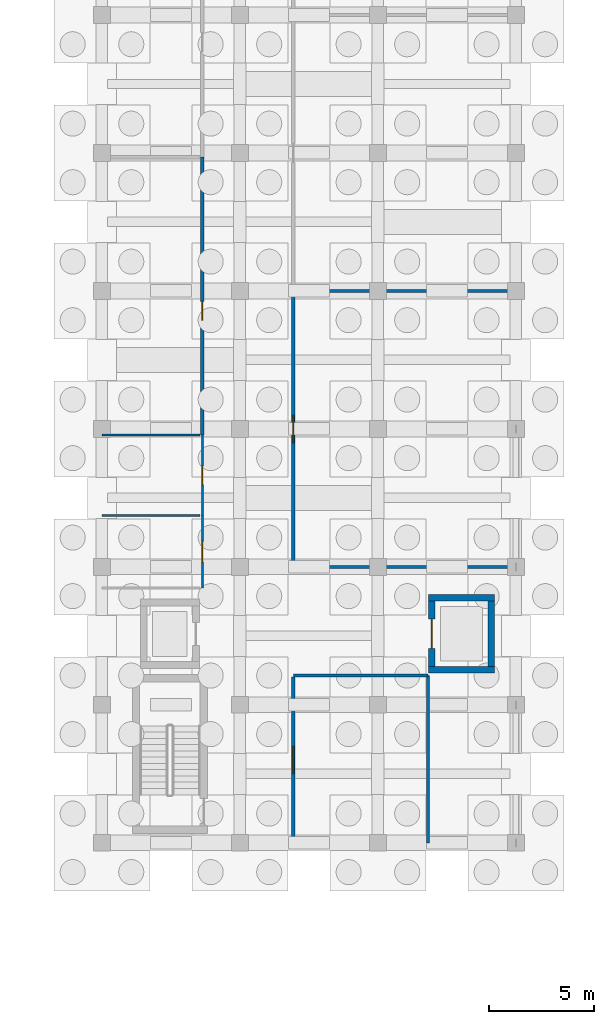
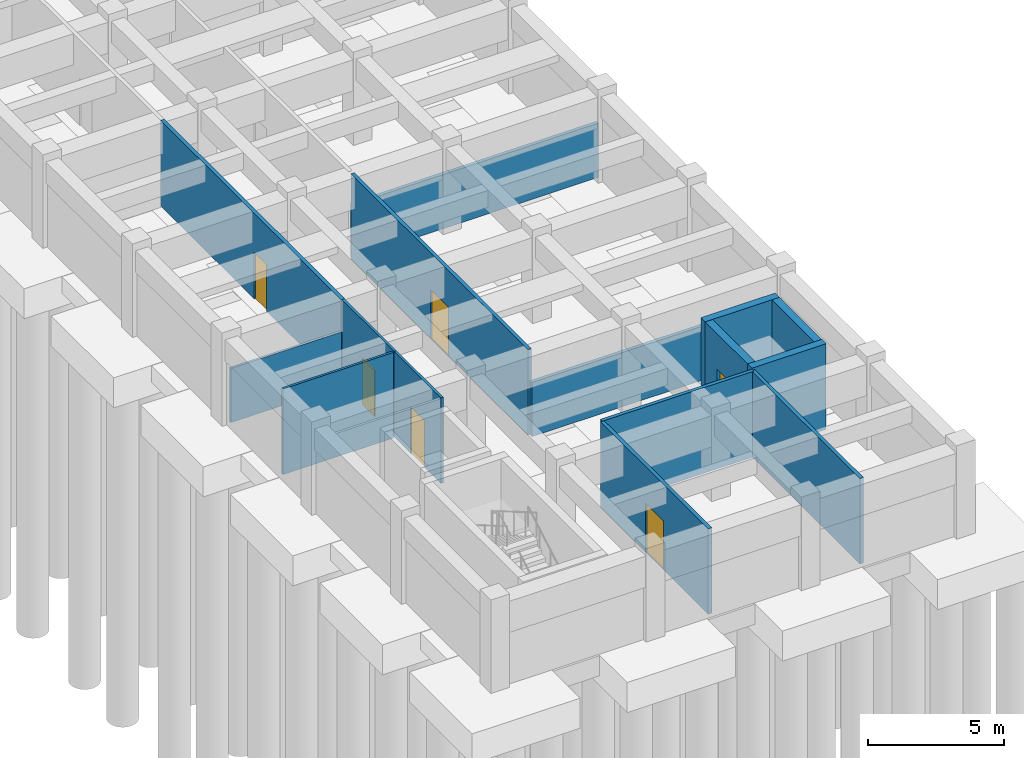
# One storey, part 46 of 58: 15 walls, 6 doors, 6 openings.
"""IFC4 building model written with IfcOpenShell, lengths in metres."""

from ifc_helpers import new_model, si_unit, direction, frame, frame_2d, origin, place, context, subcontext, project, spatial, rectangle, extrude, material, layer, layer_set, type_object, element, fill, save


model = new_model("IFC4")

# Units and contexts
model_context = context("Model", 3, precision=1e-05, world=origin(), true_north=direction((0.0, 1.0)))
body_context = subcontext(model_context, "Body", "Model", "MODEL_VIEW")
ifc_project = project(units=[si_unit("LENGTHUNIT", "METRE"), si_unit("AREAUNIT", "SQUARE_METRE"), si_unit("VOLUMEUNIT", "CUBIC_METRE"), si_unit("PLANEANGLEUNIT", "RADIAN"), si_unit("MASSUNIT", "GRAM", prefix="KILO")], contexts=[model_context])

# Site, building, storey
site_placement = place(None, origin())
site = spatial("IfcSite", under=ifc_project, at=site_placement, CompositionType="ELEMENT")
building_placement = place(site_placement, origin())
building = spatial("IfcBuilding", under=site, at=building_placement, Name="Karori Crest Natural Sciences Institute", CompositionType="ELEMENT")
storey_placement = place(building_placement, frame((0.0, 0.0, -4.199951171875)))
storey = spatial("IfcBuildingStorey", under=building, at=storey_placement, Name="B1", CompositionType="ELEMENT", Elevation=-4.199951171875)

# Walls
ifc_material_1 = material(Name="Concrete 50 MPa", Category="concrete")
ifc_layer_1 = layer(ifc_material_1, 0.320068359375, Name="Concrete 50 MPa")
ifc_layer_set_1 = layer_set([ifc_layer_1], Name="Concrete 50 MPa")
wall_type_1 = type_object("IfcWallType", Name="IWT-03", PredefinedType="SHEAR", material=ifc_layer_set_1)
for number, where, z_axis, x_axis, name in (
    (1, (23.02001953125, 103.280029296875, 0.0), (0.0, 0.0, 1.0), (1.0, 0.0, 0.0), "Shear wall IW-0519"),
    (2, (23.02001953125, 106.719970703125, 0.0), (0.0, 0.0, 1.0), (1.0, 0.0, 0.0), "Shear wall IW-0520"),
):
    element("IfcWall", number, at=place(storey_placement, frame(where, z_axis=z_axis, x_axis=x_axis)), inside=storey, type_object=wall_type_1, Name=name, PredefinedType="SHEAR", context=body_context, shape_type="SweptSolid", body=[
        extrude(rectangle(XDim=3.159912109375, YDim=0.320068359375, at=frame_2d((1.580078125, 0.0))), origin(), (0.0, 0.0, 1.0), 3.849853515625),
    ])

# Wall, opening, door
wall_1_placement = place(storey_placement, frame((23.179931640625, 103.44189453125, 0.0), z_axis=(0.0, 0.0, 1.0), x_axis=(0.0, 1.0, 0.0)))
wall_1 = element("IfcWall", 3, at=wall_1_placement, inside=storey, type_object=wall_type_1, Name="Shear wall IW-0521", PredefinedType="SHEAR", context=body_context, shape_type="SweptSolid", body=[
    extrude(rectangle(XDim=3.1162109375, YDim=0.320068359375, at=frame_2d((1.55810546875, 0.0))), origin(), (0.0, 0.0, 1.0), 3.849853515625),
])
opening_1_placement = place(wall_1_placement, frame((0.85791015625, 0.0, 0.0)))
opening_1 = element("IfcOpeningElement", 4, at=opening_1_placement, cuts=wall_1, Name="Opening LD-0056", PredefinedType="OPENING", context=body_context, shape_type="SweptSolid", body=[
    extrude(rectangle(XDim=1.39990234375, YDim=2.25, at=frame_2d((0.699951171875, 1.125))), frame((0.0, 0.169921875, 0.0), z_axis=(0.0, -1.0, 0.0), x_axis=(1.0, 0.0, 0.0)), (0.0, 0.0, 1.0), 0.340087890625),
])
ifc_material_2 = material(Name="Stainless steel 316 and fire-rated timber", Category="steel")
door_type_1 = type_object("IfcDoorType", Name="LDT-03", OperationType="DOUBLE_DOOR_SLIDING", PredefinedType="DOOR", material=ifc_material_2)
door_1_placement = place(opening_1_placement, origin())
door_1 = element("IfcDoor", 5, at=door_1_placement, inside=storey, type_object=door_type_1, Name="Lift LG-01 landing door LD-0056", OperationType="DOUBLE_DOOR_SLIDING", OverallHeight=2.25, OverallWidth=1.39990234375, PredefinedType="DOOR", context=body_context, shape_type="SweptSolid", body=[
    extrude(rectangle(XDim=1.39990234375, YDim=2.25, at=frame_2d((0.699951171875, 1.125))), frame((0.0, 0.02490234375, 0.0), z_axis=(0.0, -1.0, 0.0), x_axis=(1.0, 0.0, 0.0)), (0.0, 0.0, 1.0), 0.050048828125),
])
fill(opening_1, door_1)

# Wall
wall_2_placement = place(storey_placement, frame((26.02001953125, 103.44189453125, 0.0), z_axis=(0.0, 0.0, 1.0), x_axis=(0.0, 1.0, 0.0)))
element("IfcWall", 6, at=wall_2_placement, inside=storey, type_object=wall_type_1, Name="Shear wall IW-0522", PredefinedType="SHEAR", context=body_context, shape_type="SweptSolid", body=[
    extrude(rectangle(XDim=3.1162109375, YDim=0.320068359375, at=frame_2d((1.55810546875, 0.0))), origin(), (0.0, 0.0, 1.0), 3.849853515625),
])

# Wall, opening, door
ifc_material_3 = material(Name="Acoustic steel-stud fireboard partition", Category="steel")
ifc_layer_2 = layer(ifc_material_3, 0.159912109375, Name="Acoustic steel-stud fireboard partition")
ifc_layer_set_2 = layer_set([ifc_layer_2], Name="Acoustic steel-stud fireboard partition")
wall_type_2 = type_object("IfcWallType", Name="IWT-05", PredefinedType="PARTITIONING", material=ifc_layer_set_2)
wall_3_placement = place(storey_placement, frame((12.199951171875, 114.501953125, 0.0), z_axis=(0.0, 0.0, 1.0), x_axis=(0.0, 1.0, 0.0)))
wall_3 = element("IfcWall", 7, at=wall_3_placement, inside=storey, type_object=wall_type_2, Name="Partition wall IW-0898", PredefinedType="PARTITIONING", context=body_context, shape_type="SweptSolid", body=[
    extrude(rectangle(XDim=13.298095703125, YDim=0.159912109375, at=frame_2d((6.64892578125, 0.0))), origin(), (0.0, 0.0, 1.0), 3.849853515625),
])
opening_2_placement = place(wall_3_placement, frame((5.4990234375, 0.0, 0.0)))
opening_2 = element("IfcOpeningElement", 8, at=opening_2_placement, cuts=wall_3, Name="Opening ID-0224", PredefinedType="OPENING", context=body_context, shape_type="SweptSolid", body=[
    extrude(rectangle(XDim=0.89990234375, YDim=2.10009765625, at=frame_2d((0.449951171875, 1.050048828125))), frame((0.0, 0.08984375, 0.0), z_axis=(0.0, -1.0, 0.0), x_axis=(1.0, 0.0, 0.0)), (0.0, 0.0, 1.0), 0.179931640625),
])
door_type_2 = type_object("IfcDoorType", Name="IDT-07", OperationType="NOTDEFINED", PredefinedType="DOOR", material=ifc_material_2)
door_2_placement = place(opening_2_placement, origin())
door_2 = element("IfcDoor", 9, at=door_2_placement, inside=storey, type_object=door_type_2, Name="High-Purity RO-DI Water Plant Room door ID-0224", OperationType="SINGLE_SWING_RIGHT", OverallHeight=2.10009765625, OverallWidth=0.89990234375, PredefinedType="DOOR", context=body_context, shape_type="SweptSolid", body=[
    extrude(rectangle(XDim=0.89990234375, YDim=2.10009765625, at=frame_2d((0.449951171875, 1.050048828125))), frame((0.0, 0.02490234375, 0.0), z_axis=(0.0, -1.0, 0.0), x_axis=(1.0, 0.0, 0.0)), (0.0, 0.0, 1.0), 0.050048828125),
])
fill(opening_2, door_2)

# Wall
ifc_material_4 = material(Name="Clean-room insulated fire partition")
ifc_layer_3 = layer(ifc_material_4, 0.14990234375, Name="Clean-room insulated fire partition")
ifc_layer_set_3 = layer_set([ifc_layer_3], Name="Clean-room insulated fire partition")
wall_type_3 = type_object("IfcWallType", Name="IWT-06", PredefinedType="PARTITIONING", material=ifc_layer_set_3)
wall_4_placement = place(storey_placement, frame((16.550048828125, 103.0, 0.0), z_axis=(0.0, 0.0, 1.0), x_axis=(1.0, 0.0, 0.0)))
element("IfcWall", 10, at=wall_4_placement, inside=storey, type_object=wall_type_3, Name="Partition wall IW-0903", PredefinedType="PARTITIONING", context=body_context, shape_type="SweptSolid", body=[
    extrude(rectangle(XDim=6.449951171875, YDim=0.14990234375, at=frame_2d((3.22509765625, 0.0))), origin(), (0.0, 0.0, 1.0), 3.849853515625),
])

# Wall, opening, door
wall_5_placement = place(storey_placement, frame((16.550048828125, 95.0, 0.0), z_axis=(0.0, 0.0, 1.0), x_axis=(0.0, 1.0, 0.0)))
wall_5 = element("IfcWall", 11, at=wall_5_placement, inside=storey, type_object=wall_type_3, Name="Partition wall IW-0904", PredefinedType="PARTITIONING", context=body_context, shape_type="SweptSolid", body=[
    extrude(rectangle(XDim=7.923095703125, YDim=0.14990234375, at=frame_2d((3.96142578125, 0.0))), origin(), (0.0, 0.0, 1.0), 3.849853515625),
])
opening_3_placement = place(wall_5_placement, frame((3.3115234375, 0.0, 0.0)))
opening_3 = element("IfcOpeningElement", 12, at=opening_3_placement, cuts=wall_5, Name="Opening ID-0227", PredefinedType="OPENING", context=body_context, shape_type="SweptSolid", body=[
    extrude(rectangle(XDim=1.300048828125, YDim=2.199951171875, at=frame_2d((0.64990234375, 1.10009765625))), frame((0.0, 0.0849609375, 0.0), z_axis=(0.0, -1.0, 0.0), x_axis=(1.0, 0.0, 0.0)), (0.0, 0.0, 1.0), 0.169921875),
])
door_type_3 = type_object("IfcDoorType", Name="IDT-04", OperationType="NOTDEFINED", PredefinedType="DOOR", material=ifc_material_2)
door_3_placement = place(opening_3_placement, origin())
door_3 = element("IfcDoor", 13, at=door_3_placement, inside=storey, type_object=door_type_3, Name="Clean-Room Sub-Fab Process Bay door ID-0227", OperationType="SINGLE_SWING_LEFT", OverallHeight=2.199951171875, OverallWidth=1.300048828125, PredefinedType="DOOR", context=body_context, shape_type="SweptSolid", body=[
    extrude(rectangle(XDim=1.300048828125, YDim=2.199951171875, at=frame_2d((0.64990234375, 1.10009765625))), frame((0.0, 0.02490234375, 0.0), z_axis=(0.0, -1.0, 0.0), x_axis=(1.0, 0.0, 0.0)), (0.0, 0.0, 1.0), 0.050048828125),
])
fill(opening_3, door_3)

# Walls
wall_6_placement = place(storey_placement, frame((23.0, 95.0, 0.0), z_axis=(0.0, 0.0, 1.0), x_axis=(0.0, 1.0, 0.0)))
element("IfcWall", 14, at=wall_6_placement, inside=storey, type_object=wall_type_3, Name="Partition wall IW-0905", PredefinedType="PARTITIONING", context=body_context, shape_type="SweptSolid", body=[
    extrude(rectangle(XDim=8.0, YDim=0.14990234375, at=frame_2d((4.0, 0.0))), origin(), (0.0, 0.0, 1.0), 3.849853515625),
])
for number, where, z_axis, x_axis, name in (
    (15, (16.550048828125, 108.199951171875, 0.0), (0.0, 0.0, 1.0), (1.0, 0.0, 0.0), "Partition wall IW-0906"),
    (16, (16.550048828125, 121.39990234375, 0.0), (0.0, 0.0, 1.0), (1.0, 0.0, 0.0), "Partition wall IW-0907"),
):
    element("IfcWall", number, at=place(storey_placement, frame(where, z_axis=z_axis, x_axis=x_axis)), inside=storey, type_object=wall_type_3, Name=name, PredefinedType="PARTITIONING", context=body_context, shape_type="SweptSolid", body=[
        extrude(rectangle(XDim=10.4580078125, YDim=0.14990234375, at=frame_2d((5.22900390625, 0.0))), origin(), (0.0, 0.0, 1.0), 2.43505859375),
    ])

# Wall, opening, door
wall_7_placement = place(storey_placement, frame((16.550048828125, 108.277099609375, 0.0), z_axis=(0.0, 0.0, 1.0), x_axis=(0.0, 1.0, 0.0)))
wall_7 = element("IfcWall", 17, at=wall_7_placement, inside=storey, type_object=wall_type_3, Name="Partition wall IW-0908", PredefinedType="PARTITIONING", context=body_context, shape_type="SweptSolid", body=[
    extrude(rectangle(XDim=13.0458984375, YDim=0.14990234375, at=frame_2d((6.52294921875, 0.0))), origin(), (0.0, 0.0, 1.0), 3.849853515625),
])
opening_4_placement = place(wall_7_placement, frame((5.873046875, 0.0, 0.0)))
opening_4 = element("IfcOpeningElement", 18, at=opening_4_placement, cuts=wall_7, Name="Opening ID-0228", PredefinedType="OPENING", context=body_context, shape_type="SweptSolid", body=[
    extrude(rectangle(XDim=1.300048828125, YDim=2.199951171875, at=frame_2d((0.64990234375, 1.10009765625))), frame((0.0, 0.0849609375, 0.0), z_axis=(0.0, -1.0, 0.0), x_axis=(1.0, 0.0, 0.0)), (0.0, 0.0, 1.0), 0.169921875),
])
door_4_placement = place(opening_4_placement, origin())
door_4 = element("IfcDoor", 19, at=door_4_placement, inside=storey, type_object=door_type_3, Name="Clean-Room Sub-Fab Mechanical Hall door ID-0228", OperationType="SINGLE_SWING_RIGHT", OverallHeight=2.199951171875, OverallWidth=1.300048828125, PredefinedType="DOOR", context=body_context, shape_type="SweptSolid", body=[
    extrude(rectangle(XDim=1.300048828125, YDim=2.199951171875, at=frame_2d((0.64990234375, 1.10009765625))), frame((0.0, 0.02490234375, 0.0), z_axis=(0.0, -1.0, 0.0), x_axis=(1.0, 0.0, 0.0)), (0.0, 0.0, 1.0), 0.050048828125),
])
fill(opening_4, door_4)

# Wall
ifc_material_5 = material(Name="Washroom moisture-resistant partition")
ifc_layer_4 = layer(ifc_material_5, 0.10009765625, Name="Washroom moisture-resistant partition")
ifc_layer_set_4 = layer_set([ifc_layer_4], Name="Washroom moisture-resistant partition")
wall_type_4 = type_object("IfcWallType", Name="IWT-09", PredefinedType="PARTITIONING", material=ifc_layer_set_4)
wall_8_placement = place(storey_placement, frame((7.39990234375, 110.64990234375, 0.0), z_axis=(0.0, 0.0, 1.0), x_axis=(1.0, 0.0, 0.0)))
element("IfcWall", 20, at=wall_8_placement, inside=storey, type_object=wall_type_4, Name="Partition wall IW-0893", PredefinedType="PARTITIONING", context=body_context, shape_type="SweptSolid", body=[
    extrude(rectangle(XDim=4.697998046875, YDim=0.10009765625, at=frame_2d((2.34912109375, 0.0))), origin(), (0.0, 0.0, 1.0), 3.849853515625),
])

# Wall, opening, door
wall_9_placement = place(storey_placement, frame((12.199951171875, 107.199951171875, 0.0), z_axis=(0.0, 0.0, 1.0), x_axis=(0.0, 1.0, 0.0)))
wall_9 = element("IfcWall", 21, at=wall_9_placement, inside=storey, type_object=wall_type_4, Name="Partition wall IW-0894", PredefinedType="PARTITIONING", context=body_context, shape_type="SweptSolid", body=[
    extrude(rectangle(XDim=3.449951171875, YDim=0.10009765625, at=frame_2d((1.72509765625, 0.0))), origin(), (0.0, 0.0, 1.0), 3.849853515625),
])
opening_5_placement = place(wall_9_placement, frame((1.22509765625, 0.0, 0.0)))
opening_5 = element("IfcOpeningElement", 22, at=opening_5_placement, cuts=wall_9, Name="Opening ID-0222", PredefinedType="OPENING", context=body_context, shape_type="SweptSolid", body=[
    extrude(rectangle(XDim=1.0, YDim=2.10009765625, at=frame_2d((0.5, 1.050048828125))), frame((0.0, 0.06005859375, 0.0), z_axis=(0.0, -1.0, 0.0), x_axis=(1.0, 0.0, 0.0)), (0.0, 0.0, 1.0), 0.1201171875),
])
ifc_material_6 = material(Name="Anodised aluminium and acoustic timber", Category="wood")
door_type_4 = type_object("IfcDoorType", Name="IDT-09", OperationType="NOTDEFINED", PredefinedType="DOOR", material=ifc_material_6)
door_5_placement = place(opening_5_placement, origin())
door_5 = element("IfcDoor", 23, at=door_5_placement, inside=storey, type_object=door_type_4, Name="Accessible WC door ID-0222", OperationType="SINGLE_SWING_RIGHT", OverallHeight=2.10009765625, OverallWidth=1.0, PredefinedType="DOOR", context=body_context, shape_type="SweptSolid", body=[
    extrude(rectangle(XDim=1.0, YDim=2.10009765625, at=frame_2d((0.5, 1.050048828125))), frame((0.0, 0.02490234375, 0.0), z_axis=(0.0, -1.0, 0.0), x_axis=(1.0, 0.0, 0.0)), (0.0, 0.0, 1.0), 0.050048828125),
])
fill(opening_5, door_5)

# Wall
wall_10_placement = place(storey_placement, frame((7.39990234375, 114.5, 0.0), z_axis=(0.0, 0.0, 1.0), x_axis=(1.0, 0.0, 0.0)))
element("IfcWall", 24, at=wall_10_placement, inside=storey, type_object=wall_type_4, Name="Partition wall IW-0895", PredefinedType="PARTITIONING", context=body_context, shape_type="SweptSolid", body=[
    extrude(rectangle(XDim=4.697998046875, YDim=0.10009765625, at=frame_2d((2.34912109375, 0.0))), origin(), (0.0, 0.0, 1.0), 2.43505859375),
])

# Wall, opening, door
wall_11_placement = place(storey_placement, frame((12.199951171875, 110.652099609375, 0.0), z_axis=(0.0, 0.0, 1.0), x_axis=(0.0, 1.0, 0.0)))
wall_11 = element("IfcWall", 25, at=wall_11_placement, inside=storey, type_object=wall_type_4, Name="Partition wall IW-0896", PredefinedType="PARTITIONING", context=body_context, shape_type="SweptSolid", body=[
    extrude(rectangle(XDim=3.847900390625, YDim=0.10009765625, at=frame_2d((1.923828125, 0.0))), origin(), (0.0, 0.0, 1.0), 3.849853515625),
])
opening_6_placement = place(wall_11_placement, frame((1.48388671875, 0.0, 0.0)))
opening_6 = element("IfcOpeningElement", 26, at=opening_6_placement, cuts=wall_11, Name="Opening ID-0223", PredefinedType="OPENING", context=body_context, shape_type="SweptSolid", body=[
    extrude(rectangle(XDim=0.8798828125, YDim=2.080078125, at=frame_2d((0.43994140625, 1.0400390625))), frame((0.0, 0.06005859375, 0.0), z_axis=(0.0, -1.0, 0.0), x_axis=(1.0, 0.0, 0.0)), (0.0, 0.0, 1.0), 0.1201171875),
])
door_type_5 = type_object("IfcDoorType", Name="IDT-10", OperationType="NOTDEFINED", PredefinedType="DOOR", material=ifc_material_6)
door_6_placement = place(opening_6_placement, origin())
door_6 = element("IfcDoor", 27, at=door_6_placement, inside=storey, type_object=door_type_5, Name="Unisex Washroom WC door ID-0223", OperationType="SINGLE_SWING_LEFT", OverallHeight=2.080078125, OverallWidth=0.8798828125, PredefinedType="DOOR", context=body_context, shape_type="SweptSolid", body=[
    extrude(rectangle(XDim=0.8798828125, YDim=2.080078125, at=frame_2d((0.43994140625, 1.0400390625))), frame((0.0, 0.02490234375, 0.0), z_axis=(0.0, -1.0, 0.0), x_axis=(1.0, 0.0, 0.0)), (0.0, 0.0, 1.0), 0.050048828125),
])
fill(opening_6, door_6)

save(model, "model.ifc")
